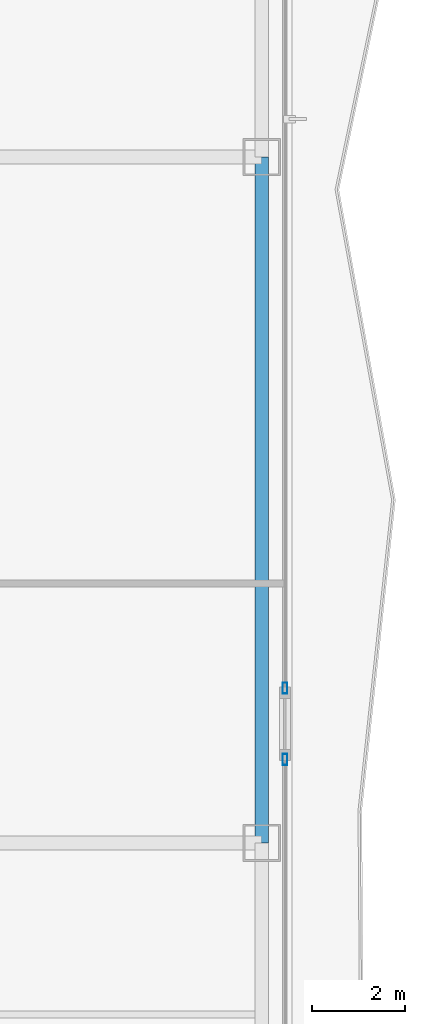
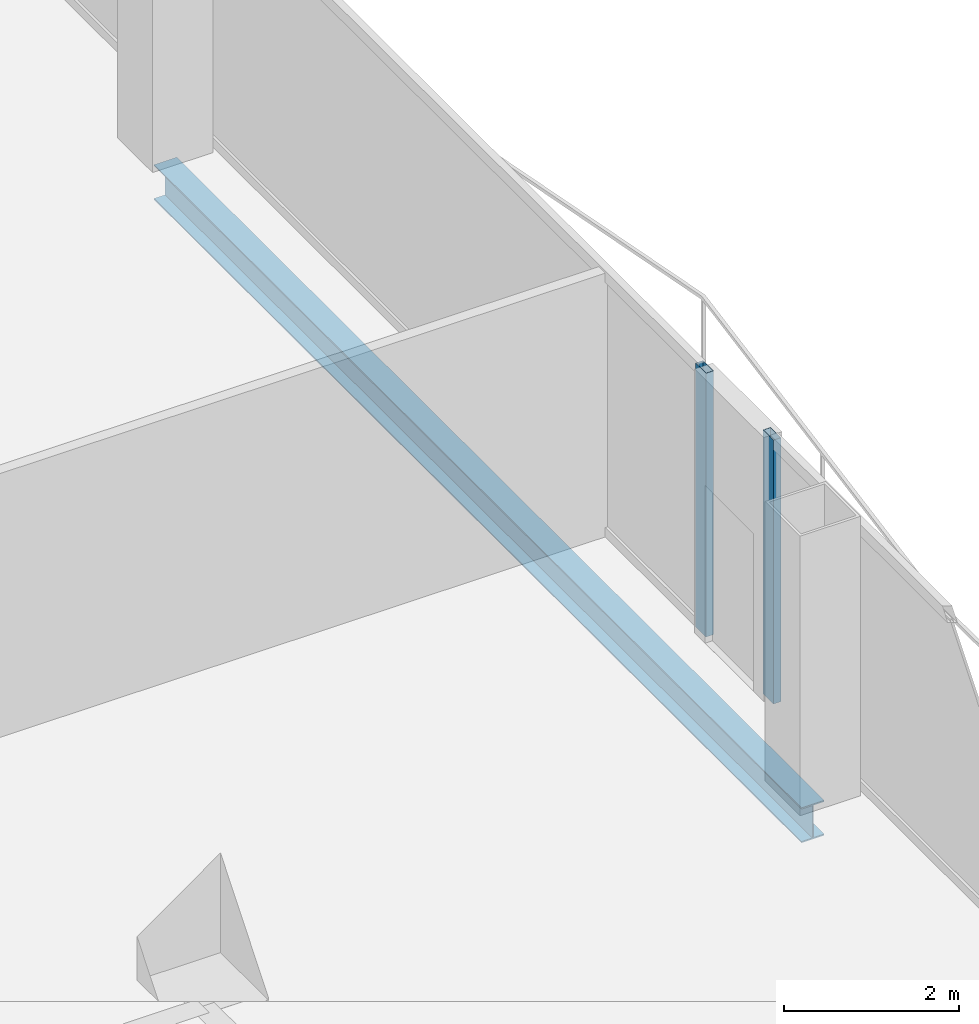
# One storey, part 12 of 30: 2 members, 1 beam, 2 elements without a shape of their own.
"""IFC4 building model written with IfcOpenShell, lengths in metres."""

import ifcopenshell
import ifcopenshell.guid

model = None  # the IFC model being written
_history = None  # IfcOwnerHistory: only IFC2X3 demands one
_inside = {}  # id of a spatial element -> (the spatial element, [elements in it])
_under = {}  # id of a project, library or spatial element -> (it, [spatial elements below it])
_declared = {}  # id of a project -> (the project, [libraries it declares])
_typed = {}  # id of a type object -> (the type object, [elements of that type])
_made_of = {}  # id of a material, layer set ... -> (it, [elements and type objects made of it])


def new_model(schema):
    """Start an empty IFC model of exactly this schema.

    Asked for "IFC4X3", IfcOpenShell would pick the latest addendum, in which some entities
    have other attributes; the version numbers below select the first issue.
    IFC2X3 requires an IfcOwnerHistory on every rooted entity: one is made here for all.
    """
    global model, _history
    if schema == "IFC4X3":
        model = ifcopenshell.file(schema_version=(4, 3, 0, 0))
    else:
        model = ifcopenshell.file(schema=schema)
    _inside.clear()
    _under.clear()
    _declared.clear()
    _typed.clear()
    _made_of.clear()
    _history = None
    if model.schema == "IFC2X3":
        org = make("IfcOrganization", Name="unknown")
        user = make(
            "IfcPersonAndOrganization",
            ThePerson=make("IfcPerson", FamilyName="unknown"),
            TheOrganization=org,
        )
        app = make(
            "IfcApplication",
            ApplicationDeveloper=org,
            Version="unknown",
            ApplicationFullName="unknown",
            ApplicationIdentifier="unknown",
        )
        _history = make(
            "IfcOwnerHistory",
            OwningUser=user,
            OwningApplication=app,
            ChangeAction="ADDED",
            CreationDate=0,
        )
    return model


def make(cls, **values):
    """One entity of the class cls with the attributes given. An attribute that is None is left unset."""
    return model.create_entity(
        cls, **{name: value for name, value in values.items() if value is not None}
    )


def rooted(cls, **values):
    """An entity with a GlobalId (a new one), such as an element, a storey or a relation."""
    return make(cls, GlobalId=ifcopenshell.guid.new(), OwnerHistory=_history, **values)


def si_unit(unit_type, name, prefix=None):
    """IfcSIUnit, for example si_unit("LENGTHUNIT", "METRE", prefix="MILLI")."""
    return make("IfcSIUnit", UnitType=unit_type, Prefix=prefix, Name=name)


def assignment(units):
    """IfcUnitAssignment: the units of a project."""
    return None if units is None else make("IfcUnitAssignment", Units=units)


def point(xyz):
    """IfcCartesianPoint."""
    return None if xyz is None else make("IfcCartesianPoint", Coordinates=xyz)


def direction(xyz):
    """IfcDirection."""
    return None if xyz is None else make("IfcDirection", DirectionRatios=xyz)


def frame(location, z_axis=None, x_axis=None):
    """IfcAxis2Placement3D, a coordinate frame: its origin and axes. An axis left out is left unset."""
    return make(
        "IfcAxis2Placement3D",
        Location=point(location),
        Axis=direction(z_axis),
        RefDirection=direction(x_axis),
    )


def frame_2d(location, x_axis=None):
    """IfcAxis2Placement2D, a coordinate frame in the plane: its origin and x axis."""
    return make(
        "IfcAxis2Placement2D", Location=point(location), RefDirection=direction(x_axis)
    )


def origin():
    """The frame at (0, 0, 0) with its axes left unset."""
    return frame((0.0, 0.0, 0.0))


def origin_2d():
    """The frame at (0, 0) in the plane with its x axis left unset."""
    return frame_2d((0.0, 0.0))


def place(relative_to, where):
    """IfcLocalPlacement: puts the frame where relative to a parent placement (None: the world)."""
    return make(
        "IfcLocalPlacement", PlacementRelTo=relative_to, RelativePlacement=where
    )


def context(
    kind, dimensions, precision=None, world=None, true_north=None, identifier=None
):
    """IfcGeometricRepresentationContext, for example the 3D "Model" context."""
    return make(
        "IfcGeometricRepresentationContext",
        ContextIdentifier=identifier,
        ContextType=kind,
        CoordinateSpaceDimension=dimensions,
        Precision=precision,
        WorldCoordinateSystem=world,
        TrueNorth=true_north,
    )


def subcontext(parent, identifier, kind, view, scale=None):
    """IfcGeometricRepresentationSubContext, for example "Body" below "Model"."""
    return make(
        "IfcGeometricRepresentationSubContext",
        ContextIdentifier=identifier,
        ContextType=kind,
        ParentContext=parent,
        TargetScale=scale,
        TargetView=view,
    )


def project(units=None, contexts=None):
    """IfcProject with its units and contexts."""
    return rooted(
        "IfcProject",
        Name="project",
        RepresentationContexts=contexts,
        UnitsInContext=assignment(units),
    )


def spatial(cls, under=None, at=None, **own):
    """A site, building, storey or space (cls), placed at a placement, below another one or the project."""
    s = rooted(cls, ObjectPlacement=at, **own)
    if under is not None:
        _under.setdefault(under.id(), (under, []))[1].append(s)
    return s


def profile(cls, at=None, kind="AREA", **sizes):
    """A parametric profile (cls). Its sizes go by their IFC names, for example OverallWidth=200.0."""
    return make(cls, ProfileType=kind, Position=at, **sizes)


def hollow_rectangle(**sizes):
    """IfcRectangleHollowProfileDef."""
    return profile("IfcRectangleHollowProfileDef", **sizes)


def i_section(**sizes):
    """IfcIShapeProfileDef."""
    return profile("IfcIShapeProfileDef", **sizes)


def extrude(swept, where, along, depth):
    """IfcExtrudedAreaSolid: the profile swept, set in the frame where, extruded along a direction by depth."""
    return make(
        "IfcExtrudedAreaSolid",
        SweptArea=swept,
        Position=where,
        ExtrudedDirection=direction(along),
        Depth=depth,
    )


def shape(context_of_items, identifier, shape_type, items):
    """IfcShapeRepresentation: the items that make up one representation, for example the "Body"."""
    return make(
        "IfcShapeRepresentation",
        ContextOfItems=context_of_items,
        RepresentationIdentifier=identifier,
        RepresentationType=shape_type,
        Items=items,
    )


def material(Name=None, Category=None):
    """IfcMaterial."""
    return make("IfcMaterial", Name=Name, Category=Category)


def layer(
    of_material, thickness, ventilated=None, Name=None, Category=None, Priority=None
):
    """IfcMaterialLayer: one layer of a wall or slab, of a material (None: an air gap)."""
    return make(
        "IfcMaterialLayer",
        Material=of_material,
        LayerThickness=thickness,
        IsVentilated=ventilated,
        Name=Name,
        Category=Category,
        Priority=Priority,
    )


def layer_set(layers, Name=None):
    """IfcMaterialLayerSet."""
    return make("IfcMaterialLayerSet", MaterialLayers=layers, LayerSetName=Name)


def material_profile(
    of_material, cross_section, Name=None, Category=None, Priority=None
):
    """IfcMaterialProfile: a cross section and its material."""
    return make(
        "IfcMaterialProfile",
        Name=Name,
        Material=of_material,
        Profile=cross_section,
        Priority=Priority,
        Category=Category,
    )


def profile_set(profiles, Name=None, composite=None):
    """IfcMaterialProfileSet."""
    return make(
        "IfcMaterialProfileSet",
        Name=Name,
        MaterialProfiles=profiles,
        CompositeProfile=composite,
    )


def made_of(thing, what):
    """Note that an element or type object is made of a material, layer set ...; save() writes the relation."""
    if what is not None:
        _made_of.setdefault(what.id(), (what, []))[1].append(thing)
    return thing


def type_object(cls, material=None, **own):
    """A type object (cls), such as IfcWallType, which elements share."""
    return made_of(rooted(cls, **own), material)


def element(
    cls,
    number,
    at=None,
    inside=None,
    cuts=None,
    type_object=None,
    material=None,
    context=None,
    identifier="Body",
    shape_type=None,
    held_by="IfcProductDefinitionShape",
    body=None,
    shapes=None,
    **own,
):
    """One element of the class cls, such as IfcWall. Its Tag is "e" and its number.

    at: its placement. inside: the storey or other place that contains it. cuts: it is an
    opening in that element (IfcRelVoidsElement). A single representation is given by context,
    identifier, shape_type and body (its items); several are given by shapes. held_by: the class
    of the entity that holds the representations. save() writes the other relations.
    """
    e = rooted(cls, Tag="e%d" % number, ObjectPlacement=at, **own)
    if body is not None:
        shapes = [shape(context, identifier, shape_type, body)]
    if shapes is not None:
        e.Representation = make(held_by, Representations=shapes)
    if inside is not None:
        _inside.setdefault(inside.id(), (inside, []))[1].append(e)
    if cuts is not None:
        rooted(
            "IfcRelVoidsElement", RelatingBuildingElement=cuts, RelatedOpeningElement=e
        )
    if type_object is not None:
        _typed.setdefault(type_object.id(), (type_object, []))[1].append(e)
    return made_of(e, material)


def aggregate(whole, parts):
    """IfcRelAggregates: a whole, such as a stair, and the parts it consists of."""
    return rooted("IfcRelAggregates", RelatingObject=whole, RelatedObjects=parts)


def save(model, path):
    """Write the relations noted so far, then the file.

    IfcRelAggregates (storeys below a building ...), IfcRelContainedInSpatialStructure (elements
    in a storey), IfcRelDefinesByType, IfcRelAssociatesMaterial and IfcRelDeclares: one each for
    every whole, place, type object, material and project.
    """
    for whole, parts in _under.values():
        aggregate(whole, parts)
    for where, things in _inside.values():
        rooted(
            "IfcRelContainedInSpatialStructure",
            RelatedElements=things,
            RelatingStructure=where,
        )
    for kind, things in _typed.values():
        rooted("IfcRelDefinesByType", RelatedObjects=things, RelatingType=kind)
    for what, things in _made_of.values():
        rooted("IfcRelAssociatesMaterial", RelatedObjects=things, RelatingMaterial=what)
    for by, libraries in _declared.values():
        rooted("IfcRelDeclares", RelatingContext=by, RelatedDefinitions=libraries)
    model.write(path)


model = new_model("IFC4")

# Units and contexts
model_context = context("Model", 3, precision=1e-05, world=origin(), true_north=direction((0.0, 1.0)))
body_context = subcontext(model_context, "Body", "Model", "MODEL_VIEW")
ifc_project = project(units=[si_unit("LENGTHUNIT", "METRE"), si_unit("AREAUNIT", "SQUARE_METRE"), si_unit("VOLUMEUNIT", "CUBIC_METRE"), si_unit("PLANEANGLEUNIT", "RADIAN"), si_unit("MASSUNIT", "GRAM", prefix="KILO")], contexts=[model_context])

# Site, building, storey
site_placement = place(None, origin())
site = spatial("IfcSite", under=ifc_project, at=site_placement, CompositionType="ELEMENT")
building_placement = place(site_placement, origin())
building = spatial("IfcBuilding", under=site, at=building_placement, Name="Khorvyn Point Tower", CompositionType="ELEMENT")
storey_placement = place(building_placement, frame((0.0, 0.0, 30.60009765625)))
storey = spatial("IfcBuildingStorey", under=building, at=storey_placement, Name="L08", CompositionType="ELEMENT", Elevation=30.60009765625)

# Curtain wall, member
ifc_material_1 = material(Name="Anodised aluminium 6063-T6 and laminated Low-E glass", Category="aluminium")
ifc_layer = layer(ifc_material_1, 0.18994140625)
ifc_layer_set = layer_set([ifc_layer], Name="Stick-Built Finned Residential Curtain Wall CW-SYS-02")
curtain_wall_type = type_object("IfcCurtainWallType", Name="Stick-Built Finned Residential Curtain Wall CW-SYS-02", PredefinedType="NOTDEFINED", material=ifc_layer_set)
curtain_wall_1_placement = place(storey_placement, origin())
curtain_wall_1 = element("IfcCurtainWall", 1, at=curtain_wall_1_placement, inside=storey, type_object=curtain_wall_type, Name="Curtain Wall", PredefinedType="NOTDEFINED")
ifc_material_2 = material(Name="Anodised aluminium 6063-T6", Category="aluminium")
ifc_material_profile_1 = material_profile(ifc_material_2, hollow_rectangle(XDim=0.10009765625, YDim=0.239990234375, WallThickness=0.0048828125, at=origin_2d()))
ifc_profile_set_1 = profile_set([ifc_material_profile_1], Name="Anodised aluminium 6063-T6 ALU-MUL-100x240")
member_type = type_object("IfcMemberType", Name="Anodised Aluminium 6063-T6 Mullion ALU-MUL-100x240", PredefinedType="MULLION", material=ifc_profile_set_1)
member_1_placement = place(storey_placement, frame((27.949951171875, -4.06005859375, 0.0), z_axis=(0.0, 0.0, 1.0), x_axis=(1.0, 0.0, 0.0)))
member_1 = element("IfcMember", 2, at=member_1_placement, type_object=member_type, Name="Transom", PredefinedType="MULLION", context=body_context, shape_type="SweptSolid", body=[
    extrude(hollow_rectangle(XDim=0.10009765625, YDim=0.239990234375, WallThickness=0.0048828125, at=origin_2d()), origin(), (0.0, 0.0, 1.0), 3.679931640625),
])
aggregate(curtain_wall_1, [member_1])

curtain_wall_2_placement = place(storey_placement, origin())
curtain_wall_2 = element("IfcCurtainWall", 3, at=curtain_wall_2_placement, inside=storey, type_object=curtain_wall_type, Name="Curtain Wall", PredefinedType="NOTDEFINED")
member_2_placement = place(storey_placement, frame((27.949951171875, -5.60009765625, 0.0), z_axis=(0.0, 0.0, 1.0), x_axis=(1.0, 0.0, 0.0)))
member_2 = element("IfcMember", 4, at=member_2_placement, type_object=member_type, Name="Transom", PredefinedType="MULLION", context=body_context, shape_type="SweptSolid", body=[
    extrude(hollow_rectangle(XDim=0.10009765625, YDim=0.239990234375, WallThickness=0.0048828125, at=origin_2d()), origin(), (0.0, 0.0, 1.0), 3.679931640625),
])
aggregate(curtain_wall_2, [member_2])

# Beam
ifc_material_3 = material(Name="Steel S355", Category="steel")
ifc_material_profile_2 = material_profile(ifc_material_3, i_section(OverallWidth=0.300048828125, OverallDepth=0.488037109375, WebThickness=0.010986328125, FlangeThickness=0.01806640625, at=origin_2d()))
ifc_profile_set_2 = profile_set([ifc_material_profile_2], Name="Steel S355 H488x300x11x18")
beam_type = type_object("IfcBeamType", Name="Steel S355 Spandrel H488x300x11x18", PredefinedType="SPANDREL", material=ifc_profile_set_2)
beam_placement = place(storey_placement, frame((27.449951171875, -7.39990234375, -0.464111328125), z_axis=(0.0, 1.0, 0.0), x_axis=(-1.0, 0.0, 0.0)))
element("IfcBeam", 5, at=beam_placement, inside=storey, type_object=beam_type, Name="Beam", PredefinedType="SPANDREL", context=body_context, shape_type="SweptSolid", body=[
    extrude(i_section(OverallWidth=0.300048828125, OverallDepth=0.488037109375, WebThickness=0.010986328125, FlangeThickness=0.01806640625, at=origin_2d()), origin(), (0.0, 0.0, 1.0), 14.7998046875),
])

save(model, "model.ifc")
